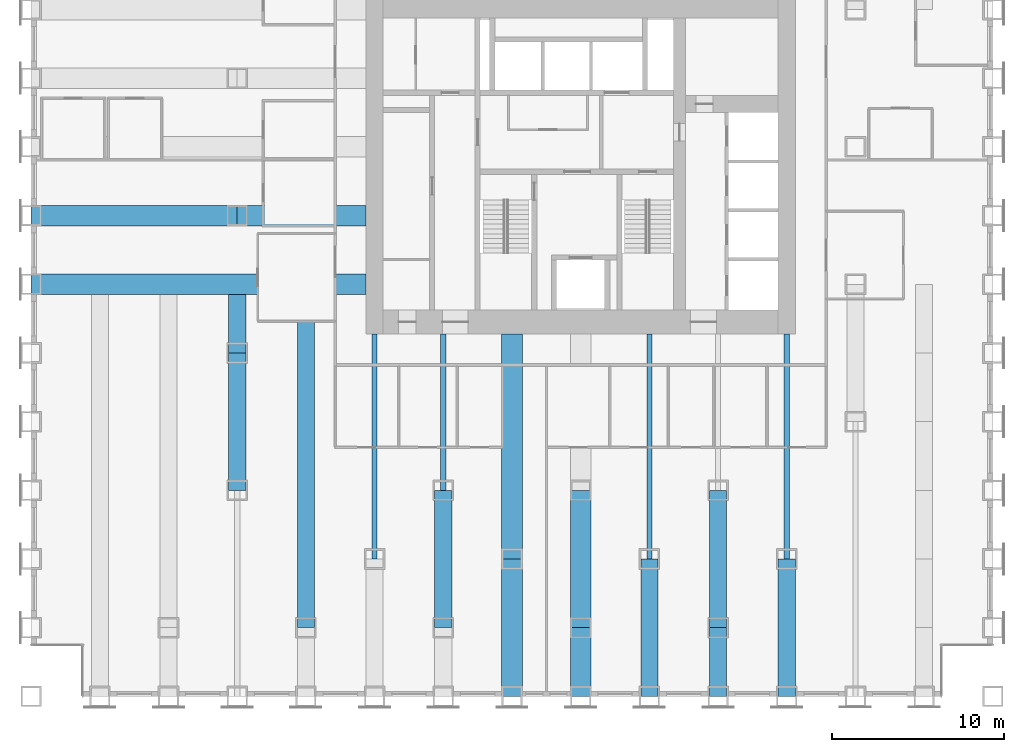
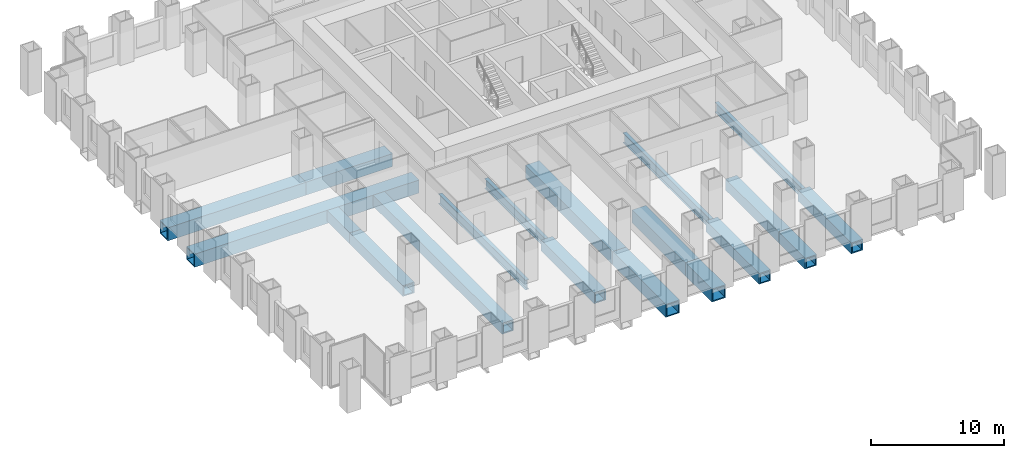
# One storey, part 3 of 14: 19 beams.
"""IFC4 building model written with IfcOpenShell, lengths in metres."""

from ifc_helpers import new_model, si_unit, direction, frame, origin, origin_2d, place, context, subcontext, project, spatial, hollow_rectangle, i_section, extrude, material, material_profile, profile_set, type_object, element, save


model = new_model("IFC4")

# Units and contexts
model_context = context("Model", 3, precision=1e-05, world=origin(), true_north=direction((0.0, 1.0)))
body_context = subcontext(model_context, "Body", "Model", "MODEL_VIEW")
ifc_project = project(units=[si_unit("LENGTHUNIT", "METRE"), si_unit("AREAUNIT", "SQUARE_METRE"), si_unit("VOLUMEUNIT", "CUBIC_METRE"), si_unit("PLANEANGLEUNIT", "RADIAN"), si_unit("MASSUNIT", "GRAM", prefix="KILO")], contexts=[model_context])

# Site, building, storey
site_placement = place(None, origin())
site = spatial("IfcSite", under=ifc_project, at=site_placement, CompositionType="ELEMENT")
building_placement = place(site_placement, origin())
building = spatial("IfcBuilding", under=site, at=building_placement, Name="Rimbunsela Tower", CompositionType="ELEMENT")
storey_placement = place(building_placement, frame((0.0, 0.0, 15.0)))
storey = spatial("IfcBuildingStorey", under=building, at=storey_placement, Name="L03", CompositionType="ELEMENT", Elevation=15.0)

# Beams
ifc_material_1 = material(Name="Steel BJ 55 (fy 410 MPa)", Category="steel")
ifc_material_profile_1 = material_profile(ifc_material_1, hollow_rectangle(XDim=1.0, YDim=1.0, WallThickness=0.10009765625, at=origin_2d()), Name="BOX 1000x1000x100")
ifc_profile_set_1 = profile_set([ifc_material_profile_1], Name="Steel BJ 55 (fy 410 MPa)")
beam_type_1 = type_object("IfcBeamType", Name="Beam BOX 1000x1000x100", PredefinedType="BEAM", material=ifc_profile_set_1)
beam_1_placement = place(storey_placement, frame((10.0, 8.0, -0.64990234375), z_axis=(0.0, 1.0, 0.0), x_axis=(-1.0, 0.0, 0.0)))
element("IfcBeam", 1, at=beam_1_placement, inside=storey, type_object=beam_type_1, Name="Beam B3 L03", PredefinedType="BEAM", context=body_context, shape_type="SweptSolid", body=[
    extrude(hollow_rectangle(XDim=1.0, YDim=1.0, WallThickness=0.10009765625, at=origin_2d()), origin(), (0.0, 0.0, 1.0), 8.0),
])
beam_2_placement = place(storey_placement, frame((10.0, 16.0, -0.64990234375), z_axis=(0.0, 1.0, 0.0), x_axis=(-1.0, 0.0, 0.0)))
element("IfcBeam", 2, at=beam_2_placement, inside=storey, type_object=beam_type_1, Name="Beam B3 L03", PredefinedType="BEAM", context=body_context, shape_type="SweptSolid", body=[
    extrude(hollow_rectangle(XDim=1.0, YDim=1.0, WallThickness=0.10009765625, at=origin_2d()), origin(), (0.0, 0.0, 1.0), 3.39990234375),
])
beam_3_placement = place(storey_placement, frame((14.0, 0.0, -0.64990234375), z_axis=(0.0, 1.0, 0.0), x_axis=(-1.0, 0.0, 0.0)))
element("IfcBeam", 3, at=beam_3_placement, inside=storey, type_object=beam_type_1, Name="Beam B3 L03", PredefinedType="BEAM", context=body_context, shape_type="SweptSolid", body=[
    extrude(hollow_rectangle(XDim=1.0, YDim=1.0, WallThickness=0.10009765625, at=origin_2d()), origin(), (0.0, 0.0, 1.0), 19.39990234375),
])
for number, where, z_axis, x_axis, name in (
    (4, (22.0, 0.0, -0.64990234375), (0.0, 1.0, 0.0), (-1.0, 0.0, 0.0), "Beam B3 L03"),
    (5, (34.0, -4.0, -0.64990234375), (0.0, 1.0, 0.0), (-1.0, 0.0, 0.0), "Beam B3 L03"),
):
    element("IfcBeam", number, at=place(storey_placement, frame(where, z_axis=z_axis, x_axis=x_axis)), inside=storey, type_object=beam_type_1, Name=name, PredefinedType="BEAM", context=body_context, shape_type="SweptSolid", body=[
        extrude(hollow_rectangle(XDim=1.0, YDim=1.0, WallThickness=0.10009765625, at=origin_2d()), origin(), (0.0, 0.0, 1.0), 8.0),
    ])
beam_4_placement = place(storey_placement, frame((38.0, -4.0, -0.64990234375), z_axis=(0.0, 1.0, 0.0), x_axis=(-1.0, 0.0, 0.0)))
element("IfcBeam", 6, at=beam_4_placement, inside=storey, type_object=beam_type_1, Name="Beam B3 L03", PredefinedType="BEAM", context=body_context, shape_type="SweptSolid", body=[
    extrude(hollow_rectangle(XDim=1.0, YDim=1.0, WallThickness=0.10009765625, at=origin_2d()), origin(), (0.0, 0.0, 1.0), 4.0),
])
for number, where, z_axis, x_axis, name in (
    (7, (38.0, 0.0, -0.64990234375), (0.0, 1.0, 0.0), (-1.0, 0.0, 0.0), "Beam B3 L03"),
    (8, (42.0, -4.0, -0.64990234375), (0.0, 1.0, 0.0), (-1.0, 0.0, 0.0), "Beam B3 L03"),
):
    element("IfcBeam", number, at=place(storey_placement, frame(where, z_axis=z_axis, x_axis=x_axis)), inside=storey, type_object=beam_type_1, Name=name, PredefinedType="BEAM", context=body_context, shape_type="SweptSolid", body=[
        extrude(hollow_rectangle(XDim=1.0, YDim=1.0, WallThickness=0.10009765625, at=origin_2d()), origin(), (0.0, 0.0, 1.0), 8.0),
    ])
ifc_material_2 = material(Name="Steel BJ 55 (fy 410 MPa)", Category="steel")
ifc_material_profile_2 = material_profile(ifc_material_2, hollow_rectangle(XDim=1.199951171875, YDim=1.199951171875, WallThickness=0.10009765625, at=origin_2d()), Name="BOX 1200x1200x100")
ifc_profile_set_2 = profile_set([ifc_material_profile_2], Name="Steel BJ 55 (fy 410 MPa)")
beam_type_2 = type_object("IfcBeamType", Name="Beam BOX 1200x1200x100", PredefinedType="BEAM", material=ifc_profile_set_2)
beam_5_placement = place(storey_placement, frame((-2.0, 20.0, -0.75), z_axis=(1.0, 0.0, 0.0), x_axis=(0.0, 1.0, 0.0)))
element("IfcBeam", 9, at=beam_5_placement, inside=storey, type_object=beam_type_2, Name="Beam B5 L03", PredefinedType="BEAM", context=body_context, shape_type="SweptSolid", body=[
    extrude(hollow_rectangle(XDim=1.199951171875, YDim=1.199951171875, WallThickness=0.10009765625, at=origin_2d()), origin(), (0.0, 0.0, 1.0), 19.5),
])
beam_6_placement = place(storey_placement, frame((-2.0, 24.0, -0.75), z_axis=(1.0, 0.0, 0.0), x_axis=(0.0, 1.0, 0.0)))
element("IfcBeam", 10, at=beam_6_placement, inside=storey, type_object=beam_type_2, Name="Beam B5 L03", PredefinedType="BEAM", context=body_context, shape_type="SweptSolid", body=[
    extrude(hollow_rectangle(XDim=1.199951171875, YDim=1.199951171875, WallThickness=0.10009765625, at=origin_2d()), origin(), (0.0, 0.0, 1.0), 12.0),
])
beam_7_placement = place(storey_placement, frame((10.0, 24.0, -0.75), z_axis=(1.0, 0.0, 0.0), x_axis=(0.0, 1.0, 0.0)))
element("IfcBeam", 11, at=beam_7_placement, inside=storey, type_object=beam_type_2, Name="Beam B5 L03", PredefinedType="BEAM", context=body_context, shape_type="SweptSolid", body=[
    extrude(hollow_rectangle(XDim=1.199951171875, YDim=1.199951171875, WallThickness=0.10009765625, at=origin_2d()), origin(), (0.0, 0.0, 1.0), 7.5),
])
beam_8_placement = place(storey_placement, frame((26.0, -4.0, -0.75), z_axis=(0.0, 1.0, 0.0), x_axis=(-1.0, 0.0, 0.0)))
element("IfcBeam", 12, at=beam_8_placement, inside=storey, type_object=beam_type_2, Name="Beam B5 L03", PredefinedType="BEAM", context=body_context, shape_type="SweptSolid", body=[
    extrude(hollow_rectangle(XDim=1.199951171875, YDim=1.199951171875, WallThickness=0.10009765625, at=origin_2d()), origin(), (0.0, 0.0, 1.0), 8.0),
])
beam_9_placement = place(storey_placement, frame((26.0, 4.0, -0.75), z_axis=(0.0, 1.0, 0.0), x_axis=(-1.0, 0.0, 0.0)))
element("IfcBeam", 13, at=beam_9_placement, inside=storey, type_object=beam_type_2, Name="Beam B5 L03", PredefinedType="BEAM", context=body_context, shape_type="SweptSolid", body=[
    extrude(hollow_rectangle(XDim=1.199951171875, YDim=1.199951171875, WallThickness=0.10009765625, at=origin_2d()), origin(), (0.0, 0.0, 1.0), 13.10009765625),
])
beam_10_placement = place(storey_placement, frame((30.0, -4.0, -0.75), z_axis=(0.0, 1.0, 0.0), x_axis=(-1.0, 0.0, 0.0)))
element("IfcBeam", 14, at=beam_10_placement, inside=storey, type_object=beam_type_2, Name="Beam B5 L03", PredefinedType="BEAM", context=body_context, shape_type="SweptSolid", body=[
    extrude(hollow_rectangle(XDim=1.199951171875, YDim=1.199951171875, WallThickness=0.10009765625, at=origin_2d()), origin(), (0.0, 0.0, 1.0), 4.0),
])
beam_11_placement = place(storey_placement, frame((30.0, 0.0, -0.75), z_axis=(0.0, 1.0, 0.0), x_axis=(-1.0, 0.0, 0.0)))
element("IfcBeam", 15, at=beam_11_placement, inside=storey, type_object=beam_type_2, Name="Beam B5 L03", PredefinedType="BEAM", context=body_context, shape_type="SweptSolid", body=[
    extrude(hollow_rectangle(XDim=1.199951171875, YDim=1.199951171875, WallThickness=0.10009765625, at=origin_2d()), origin(), (0.0, 0.0, 1.0), 8.0),
])
ifc_material_3 = material(Name="Steel BJ 55 (fy 410 MPa)", Category="steel")
ifc_material_profile_3 = material_profile(ifc_material_3, i_section(OverallWidth=0.300048828125, OverallDepth=0.89990234375, WebThickness=0.01611328125, FlangeThickness=0.028076171875, FilletRadius=0.028076171875, at=origin_2d()), Name="H 900x300x16x28")
ifc_profile_set_3 = profile_set([ifc_material_profile_3], Name="Steel BJ 55 (fy 410 MPa)")
beam_type_3 = type_object("IfcBeamType", Name="Beam H 900x300x16x28", PredefinedType="BEAM", material=ifc_profile_set_3)
beam_12_placement = place(storey_placement, frame((18.0, 4.0, -0.60009765625), z_axis=(0.0, 1.0, 0.0), x_axis=(-1.0, 0.0, 0.0)))
element("IfcBeam", 16, at=beam_12_placement, inside=storey, type_object=beam_type_3, Name="Beam B2 L03", PredefinedType="BEAM", context=body_context, shape_type="SweptSolid", body=[
    extrude(i_section(OverallWidth=0.300048828125, OverallDepth=0.89990234375, WebThickness=0.01611328125, FlangeThickness=0.028076171875, FilletRadius=0.028076171875, at=origin_2d()), origin(), (0.0, 0.0, 1.0), 13.10009765625),
])
beam_13_placement = place(storey_placement, frame((22.0, 8.0, -0.60009765625), z_axis=(0.0, 1.0, 0.0), x_axis=(-1.0, 0.0, 0.0)))
element("IfcBeam", 17, at=beam_13_placement, inside=storey, type_object=beam_type_3, Name="Beam B2 L03", PredefinedType="BEAM", context=body_context, shape_type="SweptSolid", body=[
    extrude(i_section(OverallWidth=0.300048828125, OverallDepth=0.89990234375, WebThickness=0.01611328125, FlangeThickness=0.028076171875, FilletRadius=0.028076171875, at=origin_2d()), origin(), (0.0, 0.0, 1.0), 9.10009765625),
])
for number, where, z_axis, x_axis, name in (
    (18, (34.0, 4.0, -0.60009765625), (0.0, 1.0, 0.0), (-1.0, 0.0, 0.0), "Beam B2 L03"),
    (19, (42.0, 4.0, -0.60009765625), (0.0, 1.0, 0.0), (-1.0, 0.0, 0.0), "Beam B2 L03"),
):
    element("IfcBeam", number, at=place(storey_placement, frame(where, z_axis=z_axis, x_axis=x_axis)), inside=storey, type_object=beam_type_3, Name=name, PredefinedType="BEAM", context=body_context, shape_type="SweptSolid", body=[
        extrude(i_section(OverallWidth=0.300048828125, OverallDepth=0.89990234375, WebThickness=0.01611328125, FlangeThickness=0.028076171875, FilletRadius=0.028076171875, at=origin_2d()), origin(), (0.0, 0.0, 1.0), 13.10009765625),
    ])

save(model, "model.ifc")
